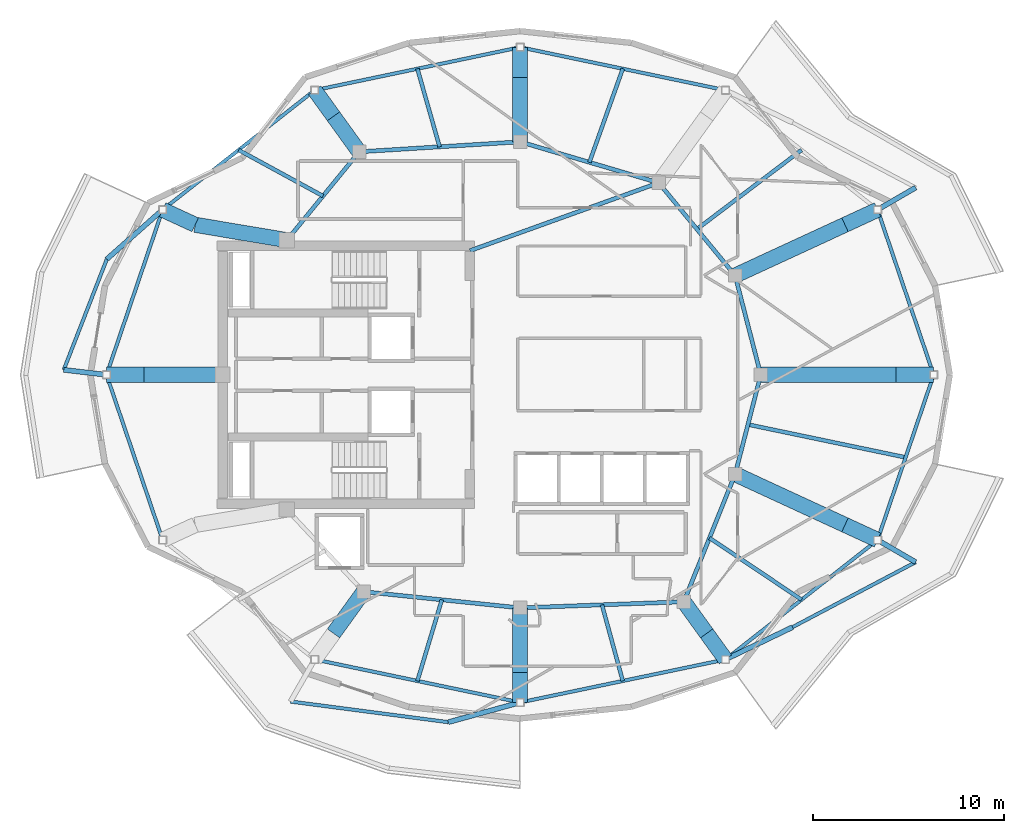
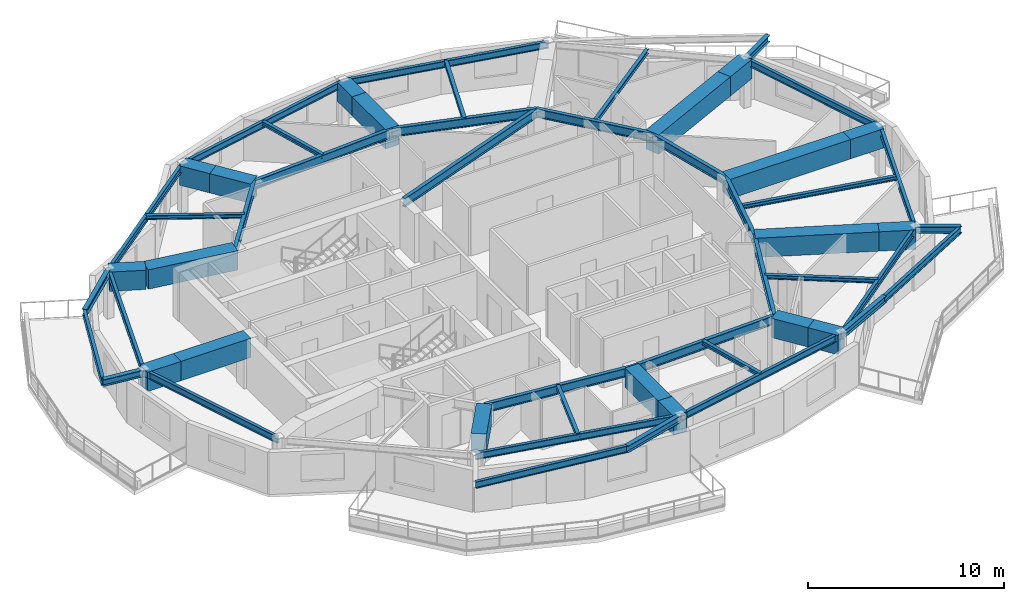
# One storey, part 2 of 11: 56 beams.
"""IFC4 building model written with IfcOpenShell, lengths in metres."""

from ifc_helpers import new_model, si_unit, direction, frame, origin, origin_2d, place, context, subcontext, project, spatial, rectangle, i_section, extrude, material, material_profile, profile_set, type_object, element, save


model = new_model("IFC4")

# Units and contexts
model_context = context("Model", 3, precision=1e-05, world=origin(), true_north=direction((0.0, 1.0)))
body_context = subcontext(model_context, "Body", "Model", "MODEL_VIEW")
ifc_project = project(units=[si_unit("LENGTHUNIT", "METRE"), si_unit("AREAUNIT", "SQUARE_METRE"), si_unit("VOLUMEUNIT", "CUBIC_METRE"), si_unit("PLANEANGLEUNIT", "RADIAN"), si_unit("MASSUNIT", "GRAM", prefix="KILO")], contexts=[model_context])

# Site, building, storey
site_placement = place(None, origin())
site = spatial("IfcSite", under=ifc_project, at=site_placement, CompositionType="ELEMENT")
building_placement = place(site_placement, origin())
building = spatial("IfcBuilding", under=site, at=building_placement, Name="Kolvaren Gate Tower and Convention Centre", CompositionType="ELEMENT")
storey_placement = place(building_placement, frame((0.0, 0.0, 255.800048828125)))
storey = spatial("IfcBuildingStorey", under=building, at=storey_placement, Name="L69", CompositionType="ELEMENT", Elevation=255.800048828125)

# Beams
ifc_material_1 = material(Name="Structural steel ASTM A992 Grade 345 MPa", Category="steel")
ifc_material_profile_1 = material_profile(ifc_material_1, i_section(OverallWidth=0.260009765625, OverallDepth=0.419921875, WebThickness=0.013427734375, FlangeThickness=0.0224609375, at=origin_2d()), Name="W410X132")
ifc_profile_set_1 = profile_set([ifc_material_profile_1], Name="Structural steel ASTM A992 Grade 345 MPa")
beam_type_1 = type_object("IfcBeamType", Name="STR-BM-W410X132", PredefinedType="BEAM", material=ifc_profile_set_1)
beam_1_placement = place(storey_placement, frame((48.8388671875, 35.6435546875, 2.820556640625), z_axis=(0.864124119926, 0.503278755127, 0.0), x_axis=(-0.503278755127, 0.864124119926, 0.0)))
element("IfcBeam", 1, at=beam_1_placement, inside=storey, type_object=beam_type_1, Name="Tower L70 Planted Balcony Outrigger Cantilever BC-1A", PredefinedType="BEAM", context=body_context, shape_type="SweptSolid", body=[
    extrude(i_section(OverallWidth=0.260009765625, OverallDepth=0.419921875, WebThickness=0.013427734375, FlangeThickness=0.0224609375, at=origin_2d()), origin(), (0.0, 0.0, 1.0), 2.30712890625),
])
beam_2_placement = place(storey_placement, frame((11.4111328125, 35.6435546875, 2.820556640625), z_axis=(-0.748892599685, -0.662691386798, 0.0), x_axis=(0.662691386798, -0.748892599685, 0.0)))
element("IfcBeam", 2, at=beam_2_placement, inside=storey, type_object=beam_type_1, Name="Tower L70 Planted Balcony Outrigger Cantilever BC-2A", PredefinedType="BEAM", context=body_context, shape_type="SweptSolid", body=[
    extrude(i_section(OverallWidth=0.260009765625, OverallDepth=0.419921875, WebThickness=0.013427734375, FlangeThickness=0.0224609375, at=origin_2d()), origin(), (0.0, 0.0, 1.0), 3.89990234375),
])
beam_3_placement = place(storey_placement, frame((8.47509765625, 27.0, 2.820556640625), z_axis=(-0.993157251916, 0.116784729165, 0.0), x_axis=(-0.116784729165, -0.993157251916, 0.0)))
element("IfcBeam", 3, at=beam_3_placement, inside=storey, type_object=beam_type_1, Name="Tower L70 Planted Balcony Outrigger Cantilever BC-2B", PredefinedType="BEAM", context=body_context, shape_type="SweptSolid", body=[
    extrude(i_section(OverallWidth=0.260009765625, OverallDepth=0.419921875, WebThickness=0.013427734375, FlangeThickness=0.0224609375, at=origin_2d()), origin(), (0.0, 0.0, 1.0), 2.255615234375),
])
beam_4_placement = place(storey_placement, frame((30.125, 9.85009765625, 2.820556640625), z_axis=(-0.964270981017, -0.264917864948, 0.0), x_axis=(0.264917864948, -0.964270981017, 0.0)))
element("IfcBeam", 4, at=beam_4_placement, inside=storey, type_object=beam_type_1, Name="Tower L70 Planted Balcony Outrigger Cantilever BC-3B", PredefinedType="BEAM", context=body_context, shape_type="SweptSolid", body=[
    extrude(i_section(OverallWidth=0.260009765625, OverallDepth=0.419921875, WebThickness=0.013427734375, FlangeThickness=0.0224609375, at=origin_2d()), origin(), (0.0, 0.0, 1.0), 3.900146484375),
])
beam_5_placement = place(storey_placement, frame((40.877685546875, 12.100830078125, 2.820556640625), z_axis=(0.900903770379, 0.434018889586, 0.0), x_axis=(-0.434018889586, 0.900903770379, 0.0)))
element("IfcBeam", 5, at=beam_5_placement, inside=storey, type_object=beam_type_1, Name="Tower L70 Planted Balcony Outrigger Cantilever BC-4A", PredefinedType="BEAM", context=body_context, shape_type="SweptSolid", body=[
    extrude(i_section(OverallWidth=0.260009765625, OverallDepth=0.419921875, WebThickness=0.013427734375, FlangeThickness=0.0224609375, at=origin_2d()), origin(), (0.0, 0.0, 1.0), 3.89990234375),
])
beam_6_placement = place(storey_placement, frame((48.8388671875, 18.3564453125, 2.820556640625), z_axis=(0.864124119926, -0.503278755127, 0.0), x_axis=(0.503278755127, 0.864124119926, 0.0)))
element("IfcBeam", 6, at=beam_6_placement, inside=storey, type_object=beam_type_1, Name="Tower L70 Planted Balcony Outrigger Cantilever BC-4B", PredefinedType="BEAM", context=body_context, shape_type="SweptSolid", body=[
    extrude(i_section(OverallWidth=0.260009765625, OverallDepth=0.419921875, WebThickness=0.013427734375, FlangeThickness=0.0224609375, at=origin_2d()), origin(), (0.0, 0.0, 1.0), 2.30712890625),
])
ifc_material_profile_2 = material_profile(ifc_material_1, i_section(OverallWidth=0.2119140625, OverallDepth=0.5439453125, WebThickness=0.01318359375, FlangeThickness=0.021240234375, at=origin_2d()), Name="W530X123")
ifc_profile_set_2 = profile_set([ifc_material_profile_2], Name="Structural steel ASTM A992 Grade 345 MPa")
beam_type_2 = type_object("IfcBeamType", Name="STR-BM-W530X123", PredefinedType="BEAM", material=ifc_profile_set_2)
beam_7_placement = place(storey_placement, frame((42.72509765625, 27.0, 2.758056640625), z_axis=(-0.250091133936, -0.968222301296, 0.0), x_axis=(0.968222301296, -0.250091133936, 0.0)))
element("IfcBeam", 7, at=beam_7_placement, inside=storey, type_object=beam_type_2, Name="Tower L69 Primary Ring Girder G-01", PredefinedType="BEAM", context=body_context, shape_type="SweptSolid", body=[
    extrude(i_section(OverallWidth=0.2119140625, OverallDepth=0.5439453125, WebThickness=0.01318359375, FlangeThickness=0.021240234375, at=origin_2d()), origin(), (0.0, 0.0, 1.0), 5.3701171875),
])
beam_8_placement = place(storey_placement, frame((41.382080078125, 32.199462890625, 2.758056640625), z_axis=(-0.635884066011, 0.771784590798, 0.0), x_axis=(-0.771784590798, -0.635884066011, 0.0)))
element("IfcBeam", 8, at=beam_8_placement, inside=storey, type_object=beam_type_2, Name="Tower L69 Primary Ring Girder G-02", PredefinedType="BEAM", context=body_context, shape_type="SweptSolid", body=[
    extrude(i_section(OverallWidth=0.2119140625, OverallDepth=0.5439453125, WebThickness=0.01318359375, FlangeThickness=0.021240234375, at=origin_2d()), origin(), (0.0, 0.0, 1.0), 6.291259765625),
])
beam_9_placement = place(storey_placement, frame((37.381591796875, 37.054931640625, 2.758056640625), z_axis=(-0.958980837827, 0.283470902706, 0.0), x_axis=(-0.283470902706, -0.958980837827, 0.0)))
element("IfcBeam", 9, at=beam_9_placement, inside=storey, type_object=beam_type_2, Name="Tower L69 Primary Ring Girder G-03", PredefinedType="BEAM", context=body_context, shape_type="SweptSolid", body=[
    extrude(i_section(OverallWidth=0.2119140625, OverallDepth=0.5439453125, WebThickness=0.01318359375, FlangeThickness=0.021240234375, at=origin_2d()), origin(), (0.0, 0.0, 1.0), 7.56689453125),
])
beam_10_placement = place(storey_placement, frame((30.125, 39.199951171875, 2.758056640625), z_axis=(-0.998078258568, -0.06196603726, 0.0), x_axis=(0.06196603726, -0.998078258568, 0.0)))
element("IfcBeam", 10, at=beam_10_placement, inside=storey, type_object=beam_type_2, Name="Tower L69 Primary Ring Girder G-04", PredefinedType="BEAM", context=body_context, shape_type="SweptSolid", body=[
    extrude(i_section(OverallWidth=0.2119140625, OverallDepth=0.5439453125, WebThickness=0.01318359375, FlangeThickness=0.021240234375, at=origin_2d()), origin(), (0.0, 0.0, 1.0), 8.443115234375),
])
beam_11_placement = place(storey_placement, frame((21.697998046875, 38.6767578125, 2.758056640625), z_axis=(-0.633082074904, -0.774084676528, 0.0), x_axis=(0.774084676528, -0.633082074904, 0.0)))
element("IfcBeam", 11, at=beam_11_placement, inside=storey, type_object=beam_type_2, Name="Tower L69 Primary Ring Girder G-05", PredefinedType="BEAM", context=body_context, shape_type="SweptSolid", body=[
    extrude(i_section(OverallWidth=0.2119140625, OverallDepth=0.5439453125, WebThickness=0.01318359375, FlangeThickness=0.021240234375, at=origin_2d()), origin(), (0.0, 0.0, 1.0), 5.97705078125),
])
beam_12_placement = place(storey_placement, frame((21.93212890625, 15.647705078125, 2.758056640625), z_axis=(0.994690329115, -0.102913308978, 0.0), x_axis=(0.102913308978, 0.994690329115, 0.0)))
element("IfcBeam", 12, at=beam_12_placement, inside=storey, type_object=beam_type_2, Name="Tower L69 Primary Ring Girder G-07", PredefinedType="BEAM", context=body_context, shape_type="SweptSolid", body=[
    extrude(i_section(OverallWidth=0.2119140625, OverallDepth=0.5439453125, WebThickness=0.01318359375, FlangeThickness=0.021240234375, at=origin_2d()), origin(), (0.0, 0.0, 1.0), 8.236572265625),
])
beam_13_placement = place(storey_placement, frame((30.125, 14.800048828125, 2.758056640625), z_axis=(0.999301712453, 0.037364254142, 0.0), x_axis=(-0.037364254142, 0.999301712453, 0.0)))
element("IfcBeam", 13, at=beam_13_placement, inside=storey, type_object=beam_type_2, Name="Tower L69 Primary Ring Girder G-08", PredefinedType="BEAM", context=body_context, shape_type="SweptSolid", body=[
    extrude(i_section(OverallWidth=0.2119140625, OverallDepth=0.5439453125, WebThickness=0.01318359375, FlangeThickness=0.021240234375, at=origin_2d()), origin(), (0.0, 0.0, 1.0), 8.579345703125),
])
beam_14_placement = place(storey_placement, frame((38.6982421875, 15.12060546875, 2.758056640625), z_axis=(0.372811100169, 0.927907260232, 0.0), x_axis=(-0.927907260232, 0.372811100169, 0.0)))
element("IfcBeam", 14, at=beam_14_placement, inside=storey, type_object=beam_type_2, Name="Tower L69 Primary Ring Girder G-09", PredefinedType="BEAM", context=body_context, shape_type="SweptSolid", body=[
    extrude(i_section(OverallWidth=0.2119140625, OverallDepth=0.5439453125, WebThickness=0.01318359375, FlangeThickness=0.021240234375, at=origin_2d()), origin(), (0.0, 0.0, 1.0), 7.198974609375),
])
beam_15_placement = place(storey_placement, frame((27.5, 33.5, 2.758056640625), z_axis=(0.940961479908, 0.338513653093, 0.0), x_axis=(-0.338513653093, 0.940961479908, 0.0)))
element("IfcBeam", 15, at=beam_15_placement, inside=storey, type_object=beam_type_2, Name="Tower L69 Primary Ring Girder G-10", PredefinedType="BEAM", context=body_context, shape_type="SweptSolid", body=[
    extrude(i_section(OverallWidth=0.2119140625, OverallDepth=0.5439453125, WebThickness=0.01318359375, FlangeThickness=0.021240234375, at=origin_2d()), origin(), (0.0, 0.0, 1.0), 10.501708984375),
])
beam_16_placement = place(storey_placement, frame((42.72509765625, 27.0, 2.758056640625), z_axis=(-0.250091133936, 0.968222301296, 0.0), x_axis=(-0.968222301296, -0.250091133936, 0.0)))
element("IfcBeam", 16, at=beam_16_placement, inside=storey, type_object=beam_type_2, Name="Tower L69 Primary Ring Girder G-12", PredefinedType="BEAM", context=body_context, shape_type="SweptSolid", body=[
    extrude(i_section(OverallWidth=0.2119140625, OverallDepth=0.5439453125, WebThickness=0.01318359375, FlangeThickness=0.021240234375, at=origin_2d()), origin(), (0.0, 0.0, 1.0), 5.3701171875),
])
ifc_material_profile_3 = material_profile(ifc_material_1, i_section(OverallWidth=0.202880859375, OverallDepth=0.251953125, WebThickness=0.008056640625, FlangeThickness=0.013427734375, at=origin_2d()), Name="W250X58")
ifc_profile_set_3 = profile_set([ifc_material_profile_3], Name="Structural steel ASTM A992 Grade 345 MPa")
beam_type_3 = type_object("IfcBeamType", Name="STR-JS-W250X58", PredefinedType="JOIST", material=ifc_profile_set_3)
beam_17_placement = place(storey_placement, frame((39.3818359375, 34.627197265625, 2.904052734375), z_axis=(0.797403149346, 0.603446946643, 0.0), x_axis=(-0.603446946643, 0.797403149346, 0.0)))
element("IfcBeam", 17, at=beam_17_placement, inside=storey, type_object=beam_type_3, Name="Tower L69 Secondary Composite Floor Joist J-02.1", PredefinedType="JOIST", context=body_context, shape_type="SweptSolid", body=[
    extrude(i_section(OverallWidth=0.202880859375, OverallDepth=0.251953125, WebThickness=0.008056640625, FlangeThickness=0.013427734375, at=origin_2d()), origin(), (0.0, 0.0, 1.0), 6.86767578125),
])
beam_18_placement = place(storey_placement, frame((33.75341796875, 38.12744140625, 2.904052734375), z_axis=(0.336131158814, 0.941815185731, 0.0), x_axis=(-0.941815185731, 0.336131158814, 0.0)))
element("IfcBeam", 18, at=beam_18_placement, inside=storey, type_object=beam_type_3, Name="Tower L69 Secondary Composite Floor Joist J-03.1", PredefinedType="JOIST", context=body_context, shape_type="SweptSolid", body=[
    extrude(i_section(OverallWidth=0.202880859375, OverallDepth=0.251953125, WebThickness=0.008056640625, FlangeThickness=0.013427734375, at=origin_2d()), origin(), (0.0, 0.0, 1.0), 5.19970703125),
])
beam_19_placement = place(storey_placement, frame((25.91162109375, 38.938232421875, 2.904052734375), z_axis=(-0.273696395326, 0.961816137932, 0.0), x_axis=(-0.961816137932, -0.273696395326, 0.0)))
element("IfcBeam", 19, at=beam_19_placement, inside=storey, type_object=beam_type_3, Name="Tower L69 Secondary Composite Floor Joist J-04.1", PredefinedType="JOIST", context=body_context, shape_type="SweptSolid", body=[
    extrude(i_section(OverallWidth=0.202880859375, OverallDepth=0.251953125, WebThickness=0.008056640625, FlangeThickness=0.013427734375, at=origin_2d()), origin(), (0.0, 0.0, 1.0), 4.24853515625),
])
beam_20_placement = place(storey_placement, frame((19.805908203125, 36.36328125, 2.904052734375), z_axis=(-0.8778621722, 0.478913360244, 0.0), x_axis=(-0.478913360244, -0.8778621722, 0.0)))
element("IfcBeam", 20, at=beam_20_placement, inside=storey, type_object=beam_type_3, Name="Tower L69 Secondary Composite Floor Joist J-05.1", PredefinedType="JOIST", context=body_context, shape_type="SweptSolid", body=[
    extrude(i_section(OverallWidth=0.202880859375, OverallDepth=0.251953125, WebThickness=0.008056640625, FlangeThickness=0.013427734375, at=origin_2d()), origin(), (0.0, 0.0, 1.0), 5.028564453125),
])
beam_21_placement = place(storey_placement, frame((26.028564453125, 15.223876953125, 2.904052734375), z_axis=(-0.288427961133, -0.957501598556, 0.0), x_axis=(0.957501598556, -0.288427961133, 0.0)))
element("IfcBeam", 21, at=beam_21_placement, inside=storey, type_object=beam_type_3, Name="Tower L69 Secondary Composite Floor Joist J-09.1", PredefinedType="JOIST", context=body_context, shape_type="SweptSolid", body=[
    extrude(i_section(OverallWidth=0.202880859375, OverallDepth=0.251953125, WebThickness=0.008056640625, FlangeThickness=0.013427734375, at=origin_2d()), origin(), (0.0, 0.0, 1.0), 4.43701171875),
])
beam_22_placement = place(storey_placement, frame((34.41162109375, 14.960205078125, 2.904052734375), z_axis=(0.263752420282, -0.964590410898, 0.0), x_axis=(0.964590410898, 0.263752420282, 0.0)))
element("IfcBeam", 22, at=beam_22_placement, inside=storey, type_object=beam_type_3, Name="Tower L69 Secondary Composite Floor Joist J-10.1", PredefinedType="JOIST", context=body_context, shape_type="SweptSolid", body=[
    extrude(i_section(OverallWidth=0.202880859375, OverallDepth=0.251953125, WebThickness=0.008056640625, FlangeThickness=0.013427734375, at=origin_2d()), origin(), (0.0, 0.0, 1.0), 4.131103515625),
])
beam_23_placement = place(storey_placement, frame((40.040283203125, 18.46044921875, 2.904052734375), z_axis=(0.830454207472, -0.557086895638, 0.0), x_axis=(0.557086895638, 0.830454207472, 0.0)))
element("IfcBeam", 23, at=beam_23_placement, inside=storey, type_object=beam_type_3, Name="Tower L69 Secondary Composite Floor Joist J-11.1", PredefinedType="JOIST", context=body_context, shape_type="SweptSolid", body=[
    extrude(i_section(OverallWidth=0.202880859375, OverallDepth=0.251953125, WebThickness=0.008056640625, FlangeThickness=0.013427734375, at=origin_2d()), origin(), (0.0, 0.0, 1.0), 5.801513671875),
])
beam_24_placement = place(storey_placement, frame((42.0537109375, 24.400146484375, 2.904052734375), z_axis=(0.978920872293, -0.204239873163, 0.0), x_axis=(0.204239873163, 0.978920872293, 0.0)))
element("IfcBeam", 24, at=beam_24_placement, inside=storey, type_object=beam_type_3, Name="Tower L69 Secondary Composite Floor Joist J-12.1", PredefinedType="JOIST", context=body_context, shape_type="SweptSolid", body=[
    extrude(i_section(OverallWidth=0.202880859375, OverallDepth=0.251953125, WebThickness=0.008056640625, FlangeThickness=0.013427734375, at=origin_2d()), origin(), (0.0, 0.0, 1.0), 8.430908203125),
])
ifc_material_profile_4 = material_profile(ifc_material_1, i_section(OverallWidth=0.180908203125, OverallDepth=0.4169921875, WebThickness=0.010986328125, FlangeThickness=0.018310546875, at=origin_2d()), Name="W410X85")
ifc_profile_set_4 = profile_set([ifc_material_profile_4], Name="Structural steel ASTM A992 Grade 345 MPa")
beam_type_4 = type_object("IfcBeamType", Name="STR-SP-W410X85", PredefinedType="SPANDREL", material=ifc_profile_set_4)
beam_25_placement = place(storey_placement, frame((51.77490234375, 27.0, 2.821533203125), z_axis=(-0.32163038352, 0.946865300028, 0.0), x_axis=(-0.946865300028, -0.32163038352, 0.0)))
element("IfcBeam", 25, at=beam_25_placement, inside=storey, type_object=beam_type_4, Name="Tower L69 Perimeter Spandrel Beam SP-01", PredefinedType="SPANDREL", context=body_context, shape_type="SweptSolid", body=[
    extrude(i_section(OverallWidth=0.180908203125, OverallDepth=0.4169921875, WebThickness=0.010986328125, FlangeThickness=0.018310546875, at=origin_2d()), origin(), (0.0, 0.0, 1.0), 9.128662109375),
])
for number, where, z_axis, x_axis, name in (
    (26, (40.877685546875, 41.899169921875, 2.821533203125), (-0.97878751616, 0.204878008117, 0.0), (-0.204878008117, -0.97878751616, 0.0), "Tower L69 Perimeter Spandrel Beam SP-03"),
    (27, (30.125, 44.14990234375, 2.821533203125), (-0.97878751616, -0.204878008117, 0.0), (0.204878008117, -0.97878751616, 0.0), "Tower L69 Perimeter Spandrel Beam SP-04"),
):
    element("IfcBeam", number, at=place(storey_placement, frame(where, z_axis=z_axis, x_axis=x_axis)), inside=storey, type_object=beam_type_4, Name=name, PredefinedType="SPANDREL", context=body_context, shape_type="SweptSolid", body=[
        extrude(i_section(OverallWidth=0.180908203125, OverallDepth=0.4169921875, WebThickness=0.010986328125, FlangeThickness=0.018310546875, at=origin_2d()), origin(), (0.0, 0.0, 1.0), 10.98583984375),
    ])
beam_26_placement = place(storey_placement, frame((19.372314453125, 41.899169921875, 2.821533203125), z_axis=(-0.786299093723, -0.61784604491, 0.0), x_axis=(0.61784604491, -0.786299093723, 0.0)))
element("IfcBeam", 28, at=beam_26_placement, inside=storey, type_object=beam_type_4, Name="Tower L69 Perimeter Spandrel Beam SP-05", PredefinedType="SPANDREL", context=body_context, shape_type="SweptSolid", body=[
    extrude(i_section(OverallWidth=0.180908203125, OverallDepth=0.4169921875, WebThickness=0.010986328125, FlangeThickness=0.018310546875, at=origin_2d()), origin(), (0.0, 0.0, 1.0), 10.124755859375),
])
for number, where, z_axis, x_axis, name in (
    (29, (11.4111328125, 35.6435546875, 2.821533203125), (-0.32163038352, -0.946865300028, 0.0), (0.946865300028, -0.32163038352, 0.0), "Tower L69 Perimeter Spandrel Beam SP-06"),
    (30, (8.47509765625, 27.0, 2.821533203125), (0.32163038352, -0.946865300028, 0.0), (0.946865300028, 0.32163038352, 0.0), "Tower L69 Perimeter Spandrel Beam SP-07"),
):
    element("IfcBeam", number, at=place(storey_placement, frame(where, z_axis=z_axis, x_axis=x_axis)), inside=storey, type_object=beam_type_4, Name=name, PredefinedType="SPANDREL", context=body_context, shape_type="SweptSolid", body=[
        extrude(i_section(OverallWidth=0.180908203125, OverallDepth=0.4169921875, WebThickness=0.010986328125, FlangeThickness=0.018310546875, at=origin_2d()), origin(), (0.0, 0.0, 1.0), 9.128662109375),
    ])
for number, where, z_axis, x_axis, name in (
    (31, (19.372314453125, 12.100830078125, 2.821533203125), (0.97878751616, -0.204878008117, 0.0), (0.204878008117, 0.97878751616, 0.0), "Tower L69 Perimeter Spandrel Beam SP-09"),
    (32, (30.125, 9.85009765625, 2.821533203125), (0.97878751616, 0.204878008117, 0.0), (-0.204878008117, 0.97878751616, 0.0), "Tower L69 Perimeter Spandrel Beam SP-10"),
):
    element("IfcBeam", number, at=place(storey_placement, frame(where, z_axis=z_axis, x_axis=x_axis)), inside=storey, type_object=beam_type_4, Name=name, PredefinedType="SPANDREL", context=body_context, shape_type="SweptSolid", body=[
        extrude(i_section(OverallWidth=0.180908203125, OverallDepth=0.4169921875, WebThickness=0.010986328125, FlangeThickness=0.018310546875, at=origin_2d()), origin(), (0.0, 0.0, 1.0), 10.98583984375),
    ])
beam_27_placement = place(storey_placement, frame((40.877685546875, 12.100830078125, 2.821533203125), z_axis=(0.786299093723, 0.61784604491, 0.0), x_axis=(-0.61784604491, 0.786299093723, 0.0)))
element("IfcBeam", 33, at=beam_27_placement, inside=storey, type_object=beam_type_4, Name="Tower L69 Perimeter Spandrel Beam SP-11", PredefinedType="SPANDREL", context=body_context, shape_type="SweptSolid", body=[
    extrude(i_section(OverallWidth=0.180908203125, OverallDepth=0.4169921875, WebThickness=0.010986328125, FlangeThickness=0.018310546875, at=origin_2d()), origin(), (0.0, 0.0, 1.0), 10.124755859375),
])
beam_28_placement = place(storey_placement, frame((48.8388671875, 18.3564453125, 2.821533203125), z_axis=(0.32163038352, 0.946865300028, 0.0), x_axis=(-0.946865300028, 0.32163038352, 0.0)))
element("IfcBeam", 34, at=beam_28_placement, inside=storey, type_object=beam_type_4, Name="Tower L69 Perimeter Spandrel Beam SP-12", PredefinedType="SPANDREL", context=body_context, shape_type="SweptSolid", body=[
    extrude(i_section(OverallWidth=0.180908203125, OverallDepth=0.4169921875, WebThickness=0.010986328125, FlangeThickness=0.018310546875, at=origin_2d()), origin(), (0.0, 0.0, 1.0), 9.128662109375),
])
beam_29_placement = place(storey_placement, frame((8.490478515625, 33.05908203125, 2.822021484375), z_axis=(-0.362690628183, -0.931909603035, 0.0), x_axis=(0.931909603035, -0.362690628183, 0.0)))
element("IfcBeam", 35, at=beam_29_placement, inside=storey, type_object=beam_type_4, Name="Tower L70 Planted Balcony Header Tie Beam BT-2", PredefinedType="SPANDREL", context=body_context, shape_type="SweptSolid", body=[
    extrude(i_section(OverallWidth=0.180908203125, OverallDepth=0.4169921875, WebThickness=0.010986328125, FlangeThickness=0.018310546875, at=origin_2d()), origin(), (0.0, 0.0, 1.0), 6.21923828125),
])
beam_30_placement = place(storey_placement, frame((18.107421875, 9.89794921875, 2.822021484375), z_axis=(0.991537516631, -0.129820464921, 0.0), x_axis=(0.129820464921, 0.991537516631, 0.0)))
element("IfcBeam", 36, at=beam_30_placement, inside=storey, type_object=beam_type_4, Name="Tower L70 Planted Balcony Header Tie Beam BT-3", PredefinedType="SPANDREL", context=body_context, shape_type="SweptSolid", body=[
    extrude(i_section(OverallWidth=0.180908203125, OverallDepth=0.4169921875, WebThickness=0.010986328125, FlangeThickness=0.018310546875, at=origin_2d()), origin(), (0.0, 0.0, 1.0), 8.327392578125),
])
beam_31_placement = place(storey_placement, frame((44.39111328125, 13.79345703125, 2.822021484375), z_axis=(0.884258670373, 0.466997434543, 0.0), x_axis=(-0.466997434543, 0.884258670373, 0.0)))
element("IfcBeam", 37, at=beam_31_placement, inside=storey, type_object=beam_type_4, Name="Tower L70 Planted Balcony Header Tie Beam BT-4", PredefinedType="SPANDREL", context=body_context, shape_type="SweptSolid", body=[
    extrude(i_section(OverallWidth=0.180908203125, OverallDepth=0.4169921875, WebThickness=0.010986328125, FlangeThickness=0.018310546875, at=origin_2d()), origin(), (0.0, 0.0, 1.0), 7.284423828125),
])
ifc_material_2 = material(Name="Concrete C70/85", Category="concrete")
ifc_material_profile_5 = material_profile(ifc_material_2, rectangle(XDim=0.800048828125, YDim=1.199951171875, at=origin_2d()), Name="RC-BM-800X1200")
ifc_profile_set_5 = profile_set([ifc_material_profile_5], Name="Concrete C70/85")
beam_type_5 = type_object("IfcBeamType", Name="STR-TG-RC800X1200", PredefinedType="USERDEFINED", material=ifc_profile_set_5)
beam_32_placement = place(storey_placement, frame((42.72509765625, 27.0, 2.430419921875), z_axis=(1.0, 0.0, 0.0), x_axis=(0.0, 1.0, 0.0)))
element("IfcBeam", 38, at=beam_32_placement, inside=storey, type_object=beam_type_5, Name="Tower L69 Zone-Transition Radial Transfer Girder XFG-01A", ObjectType="TRANSFER GIRDER", PredefinedType="USERDEFINED", context=body_context, shape_type="SweptSolid", body=[
    extrude(rectangle(XDim=0.800048828125, YDim=1.199951171875, at=origin_2d()), origin(), (0.0, 0.0, 1.0), 7.0810546875),
])
beam_33_placement = place(storey_placement, frame((49.80615234375, 27.0, 2.430419921875), z_axis=(1.0, 0.0, 0.0), x_axis=(0.0, 1.0, 0.0)))
element("IfcBeam", 39, at=beam_33_placement, inside=storey, type_object=beam_type_5, Name="Tower L69 Zone-Transition Radial Transfer Girder XFG-01B", ObjectType="TRANSFER GIRDER", PredefinedType="USERDEFINED", context=body_context, shape_type="SweptSolid", body=[
    extrude(rectangle(XDim=0.800048828125, YDim=1.199951171875, at=origin_2d()), origin(), (0.0, 0.0, 1.0), 1.96875),
])
beam_34_placement = place(storey_placement, frame((41.382080078125, 32.199462890625, 2.430419921875), z_axis=(0.907833025456, 0.41933184698, 0.0), x_axis=(-0.41933184698, 0.907833025456, 0.0)))
element("IfcBeam", 40, at=beam_34_placement, inside=storey, type_object=beam_type_5, Name="Tower L69 Zone-Transition Radial Transfer Girder XFG-02A", ObjectType="TRANSFER GIRDER", PredefinedType="USERDEFINED", context=body_context, shape_type="SweptSolid", body=[
    extrude(rectangle(XDim=0.800048828125, YDim=1.199951171875, at=origin_2d()), origin(), (0.0, 0.0, 1.0), 6.335693359375),
])
beam_35_placement = place(storey_placement, frame((47.1337890625, 34.856201171875, 2.430419921875), z_axis=(0.907879469125, 0.419231284068, 0.0), x_axis=(-0.419231284068, 0.907879469125, 0.0)))
element("IfcBeam", 41, at=beam_35_placement, inside=storey, type_object=beam_type_5, Name="Tower L69 Zone-Transition Radial Transfer Girder XFG-02B", ObjectType="TRANSFER GIRDER", PredefinedType="USERDEFINED", context=body_context, shape_type="SweptSolid", body=[
    extrude(rectangle(XDim=0.800048828125, YDim=1.199951171875, at=origin_2d()), origin(), (0.0, 0.0, 1.0), 1.878173828125),
])
beam_36_placement = place(storey_placement, frame((30.125, 39.199951171875, 2.430419921875), z_axis=(0.0, 1.0, 0.0), x_axis=(-1.0, 0.0, 0.0)))
element("IfcBeam", 42, at=beam_36_placement, inside=storey, type_object=beam_type_5, Name="Tower L69 Zone-Transition Radial Transfer Girder XFG-04A", ObjectType="TRANSFER GIRDER", PredefinedType="USERDEFINED", context=body_context, shape_type="SweptSolid", body=[
    extrude(rectangle(XDim=0.800048828125, YDim=1.199951171875, at=origin_2d()), origin(), (0.0, 0.0, 1.0), 3.375),
])
beam_37_placement = place(storey_placement, frame((30.125, 42.574951171875, 2.430419921875), z_axis=(0.0, 1.0, 0.0), x_axis=(-1.0, 0.0, 0.0)))
element("IfcBeam", 43, at=beam_37_placement, inside=storey, type_object=beam_type_5, Name="Tower L69 Zone-Transition Radial Transfer Girder XFG-04B", ObjectType="TRANSFER GIRDER", PredefinedType="USERDEFINED", context=body_context, shape_type="SweptSolid", body=[
    extrude(rectangle(XDim=0.800048828125, YDim=1.199951171875, at=origin_2d()), origin(), (0.0, 0.0, 1.0), 1.574951171875),
])
beam_38_placement = place(storey_placement, frame((21.697998046875, 38.6767578125, 2.430419921875), z_axis=(-0.585241610653, 0.810858962558, 0.0), x_axis=(-0.810858962558, -0.585241610653, 0.0)))
element("IfcBeam", 44, at=beam_38_placement, inside=storey, type_object=beam_type_5, Name="Tower L69 Zone-Transition Radial Transfer Girder XFG-05A", ObjectType="TRANSFER GIRDER", PredefinedType="USERDEFINED", context=body_context, shape_type="SweptSolid", body=[
    extrude(rectangle(XDim=0.800048828125, YDim=1.199951171875, at=origin_2d()), origin(), (0.0, 0.0, 1.0), 2.2919921875),
])
beam_39_placement = place(storey_placement, frame((20.356689453125, 40.53515625, 2.430419921875), z_axis=(-0.585199061098, 0.810889671219, 0.0), x_axis=(-0.810889671219, -0.585199061098, 0.0)))
element("IfcBeam", 45, at=beam_39_placement, inside=storey, type_object=beam_type_5, Name="Tower L69 Zone-Transition Radial Transfer Girder XFG-05B", ObjectType="TRANSFER GIRDER", PredefinedType="USERDEFINED", context=body_context, shape_type="SweptSolid", body=[
    extrude(rectangle(XDim=0.800048828125, YDim=1.199951171875, at=origin_2d()), origin(), (0.0, 0.0, 1.0), 1.68212890625),
])
beam_40_placement = place(storey_placement, frame((17.9140625, 34.050048828125, 2.430419921875), z_axis=(-0.986176061403, 0.165700862749, 0.0), x_axis=(-0.165700862749, -0.986176061403, 0.0)))
element("IfcBeam", 46, at=beam_40_placement, inside=storey, type_object=beam_type_5, Name="Tower L69 Zone-Transition Radial Transfer Girder XFG-06A", ObjectType="TRANSFER GIRDER", PredefinedType="USERDEFINED", context=body_context, shape_type="SweptSolid", body=[
    extrude(rectangle(XDim=0.800048828125, YDim=1.199951171875, at=origin_2d()), origin(), (0.0, 0.0, 1.0), 4.864990234375),
])
beam_41_placement = place(storey_placement, frame((13.1162109375, 34.856201171875, 2.430419921875), z_axis=(-0.907879469125, 0.419231284068, 0.0), x_axis=(-0.419231284068, -0.907879469125, 0.0)))
element("IfcBeam", 47, at=beam_41_placement, inside=storey, type_object=beam_type_5, Name="Tower L69 Zone-Transition Radial Transfer Girder XFG-06B", ObjectType="TRANSFER GIRDER", PredefinedType="USERDEFINED", context=body_context, shape_type="SweptSolid", body=[
    extrude(rectangle(XDim=0.800048828125, YDim=1.199951171875, at=origin_2d()), origin(), (0.0, 0.0, 1.0), 1.878173828125),
])
beam_42_placement = place(storey_placement, frame((14.550048828125, 27.0, 2.430419921875), z_axis=(-1.0, 0.0, 0.0), x_axis=(0.0, -1.0, 0.0)))
element("IfcBeam", 48, at=beam_42_placement, inside=storey, type_object=beam_type_5, Name="Tower L69 Zone-Transition Radial Transfer Girder XFG-07A", ObjectType="TRANSFER GIRDER", PredefinedType="USERDEFINED", context=body_context, shape_type="SweptSolid", body=[
    extrude(rectangle(XDim=0.800048828125, YDim=1.199951171875, at=origin_2d()), origin(), (0.0, 0.0, 1.0), 4.106201171875),
])
beam_43_placement = place(storey_placement, frame((10.44384765625, 27.0, 2.430419921875), z_axis=(-1.0, 0.0, 0.0), x_axis=(0.0, -1.0, 0.0)))
element("IfcBeam", 49, at=beam_43_placement, inside=storey, type_object=beam_type_5, Name="Tower L69 Zone-Transition Radial Transfer Girder XFG-07B", ObjectType="TRANSFER GIRDER", PredefinedType="USERDEFINED", context=body_context, shape_type="SweptSolid", body=[
    extrude(rectangle(XDim=0.800048828125, YDim=1.199951171875, at=origin_2d()), origin(), (0.0, 0.0, 1.0), 1.96875),
])
beam_44_placement = place(storey_placement, frame((21.93212890625, 15.647705078125, 2.430419921875), z_axis=(-0.585228935975, -0.810868110421, 0.0), x_axis=(0.810868110421, -0.585228935975, 0.0)))
element("IfcBeam", 50, at=beam_44_placement, inside=storey, type_object=beam_type_5, Name="Tower L69 Zone-Transition Radial Transfer Girder XFG-09A", ObjectType="TRANSFER GIRDER", PredefinedType="USERDEFINED", context=body_context, shape_type="SweptSolid", body=[
    extrude(rectangle(XDim=0.800048828125, YDim=1.199951171875, at=origin_2d()), origin(), (0.0, 0.0, 1.0), 2.69189453125),
])
beam_45_placement = place(storey_placement, frame((30.125, 14.800048828125, 2.430419921875), z_axis=(0.0, -1.0, 0.0), x_axis=(1.0, 0.0, 0.0)))
element("IfcBeam", 51, at=beam_45_placement, inside=storey, type_object=beam_type_5, Name="Tower L69 Zone-Transition Radial Transfer Girder XFG-10A", ObjectType="TRANSFER GIRDER", PredefinedType="USERDEFINED", context=body_context, shape_type="SweptSolid", body=[
    extrude(rectangle(XDim=0.800048828125, YDim=1.199951171875, at=origin_2d()), origin(), (0.0, 0.0, 1.0), 3.375),
])
beam_46_placement = place(storey_placement, frame((30.125, 11.425048828125, 2.430419921875), z_axis=(0.0, -1.0, 0.0), x_axis=(1.0, 0.0, 0.0)))
element("IfcBeam", 52, at=beam_46_placement, inside=storey, type_object=beam_type_5, Name="Tower L69 Zone-Transition Radial Transfer Girder XFG-10B", ObjectType="TRANSFER GIRDER", PredefinedType="USERDEFINED", context=body_context, shape_type="SweptSolid", body=[
    extrude(rectangle(XDim=0.800048828125, YDim=1.199951171875, at=origin_2d()), origin(), (0.0, 0.0, 1.0), 1.574951171875),
])
beam_47_placement = place(storey_placement, frame((38.6982421875, 15.12060546875, 2.430419921875), z_axis=(0.585246071944, -0.810855742579, 0.0), x_axis=(0.810855742579, 0.585246071944, 0.0)))
element("IfcBeam", 53, at=beam_47_placement, inside=storey, type_object=beam_type_5, Name="Tower L69 Zone-Transition Radial Transfer Girder XFG-11A", ObjectType="TRANSFER GIRDER", PredefinedType="USERDEFINED", context=body_context, shape_type="SweptSolid", body=[
    extrude(rectangle(XDim=0.800048828125, YDim=1.199951171875, at=origin_2d()), origin(), (0.0, 0.0, 1.0), 2.0419921875),
])
beam_48_placement = place(storey_placement, frame((39.893310546875, 13.46484375, 2.430419921875), z_axis=(0.585199061098, -0.810889671219, 0.0), x_axis=(0.810889671219, 0.585199061098, 0.0)))
element("IfcBeam", 54, at=beam_48_placement, inside=storey, type_object=beam_type_5, Name="Tower L69 Zone-Transition Radial Transfer Girder XFG-11B", ObjectType="TRANSFER GIRDER", PredefinedType="USERDEFINED", context=body_context, shape_type="SweptSolid", body=[
    extrude(rectangle(XDim=0.800048828125, YDim=1.199951171875, at=origin_2d()), origin(), (0.0, 0.0, 1.0), 1.68212890625),
])
beam_49_placement = place(storey_placement, frame((41.382080078125, 21.800537109375, 2.430419921875), z_axis=(0.907833025456, -0.41933184698, 0.0), x_axis=(0.41933184698, 0.907833025456, 0.0)))
element("IfcBeam", 55, at=beam_49_placement, inside=storey, type_object=beam_type_5, Name="Tower L69 Zone-Transition Radial Transfer Girder XFG-12A", ObjectType="TRANSFER GIRDER", PredefinedType="USERDEFINED", context=body_context, shape_type="SweptSolid", body=[
    extrude(rectangle(XDim=0.800048828125, YDim=1.199951171875, at=origin_2d()), origin(), (0.0, 0.0, 1.0), 6.335693359375),
])
beam_50_placement = place(storey_placement, frame((47.1337890625, 19.143798828125, 2.430419921875), z_axis=(0.907879469125, -0.419231284068, 0.0), x_axis=(0.419231284068, 0.907879469125, 0.0)))
element("IfcBeam", 56, at=beam_50_placement, inside=storey, type_object=beam_type_5, Name="Tower L69 Zone-Transition Radial Transfer Girder XFG-12B", ObjectType="TRANSFER GIRDER", PredefinedType="USERDEFINED", context=body_context, shape_type="SweptSolid", body=[
    extrude(rectangle(XDim=0.800048828125, YDim=1.199951171875, at=origin_2d()), origin(), (0.0, 0.0, 1.0), 1.878173828125),
])

save(model, "model.ifc")
